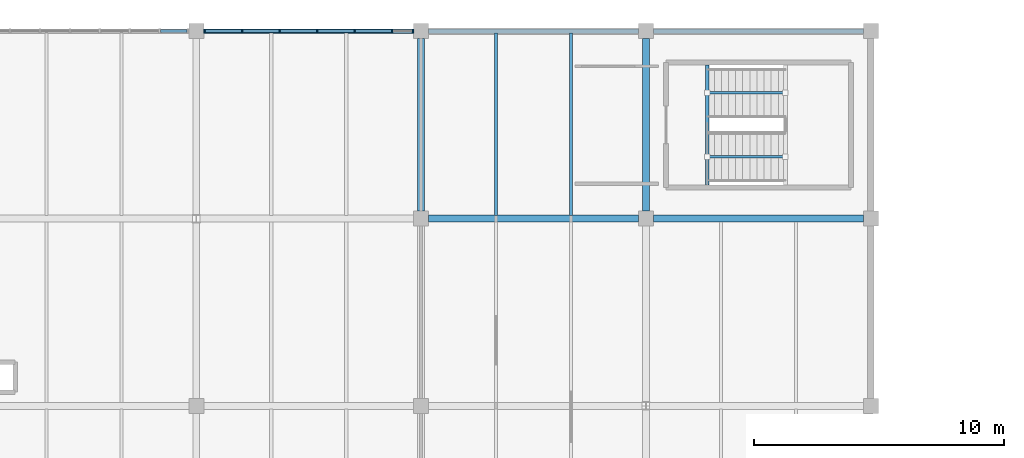
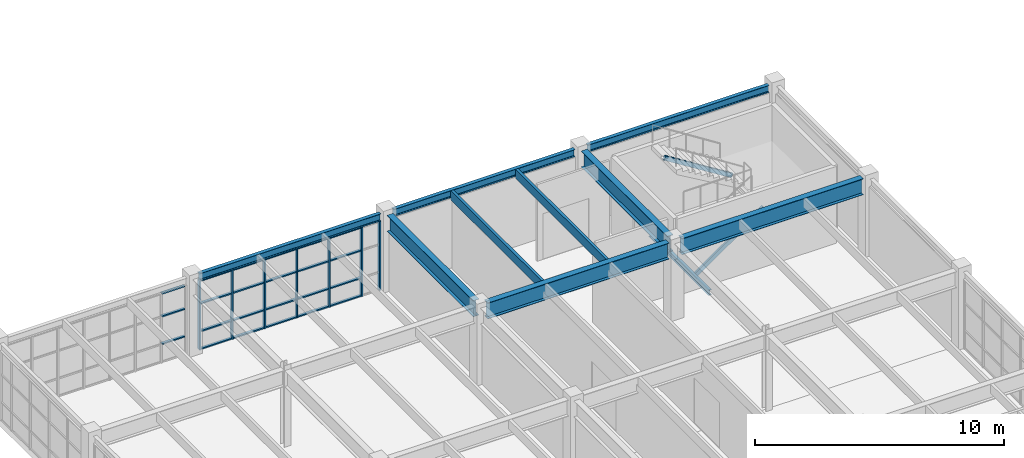
# One storey, part 35 of 76: 32 members, 10 beams, 2 elements without a shape of their own.
"""IFC4 building model written with IfcOpenShell, lengths in metres."""

from ifc_helpers import new_model, si_unit, direction, frame, origin, origin_2d, place, context, subcontext, project, spatial, rectangle, hollow_rectangle, i_section, extrude, material, layer, layer_set, material_profile, profile_set, type_object, element, aggregate, save


model = new_model("IFC4")

# Units and contexts
model_context = context("Model", 3, precision=1e-05, world=origin(), true_north=direction((0.0, 1.0)))
body_context = subcontext(model_context, "Body", "Model", "MODEL_VIEW")
ifc_project = project(units=[si_unit("LENGTHUNIT", "METRE"), si_unit("AREAUNIT", "SQUARE_METRE"), si_unit("VOLUMEUNIT", "CUBIC_METRE"), si_unit("PLANEANGLEUNIT", "RADIAN"), si_unit("MASSUNIT", "GRAM", prefix="KILO")], contexts=[model_context])

# Site, building, storey
site_placement = place(None, origin())
site = spatial("IfcSite", under=ifc_project, at=site_placement, CompositionType="ELEMENT")
building_placement = place(site_placement, origin())
building = spatial("IfcBuilding", under=site, at=building_placement, Name="Marnridge Secondary College", CompositionType="ELEMENT")
storey_placement = place(building_placement, frame((0.0, 0.0, 4.5)))
storey = spatial("IfcBuildingStorey", under=building, at=storey_placement, Name="L01", CompositionType="ELEMENT", Elevation=4.5)

# Beams
ifc_material_1 = material(Name="Engineered timber LVL E13.2", Category="wood")
ifc_material_profile_1 = material_profile(ifc_material_1, rectangle(XDim=0.1259765625, YDim=0.449951171875, at=origin_2d()), Name="LVL 126x450")
ifc_profile_set_1 = profile_set([ifc_material_profile_1], Name="Engineered timber LVL E13.2")
beam_type_1 = type_object("IfcBeamType", Name="BM-LVL450-INT", PredefinedType="JOIST", material=ifc_profile_set_1)
for number, where, z_axis, x_axis, name in (
    (1, (21.0, 112.631591796875, 3.534912109375), (0.0, 1.0, 0.0), (-1.0, 0.0, 0.0), "Beam BJ-L01-0641"),
    (2, (24.0, 112.631591796875, 3.534912109375), (0.0, 1.0, 0.0), (-1.0, 0.0, 0.0), "Beam BJ-L01-0642"),
):
    element("IfcBeam", number, at=place(storey_placement, frame(where, z_axis=z_axis, x_axis=x_axis)), inside=storey, type_object=beam_type_1, Name=name, PredefinedType="JOIST", context=body_context, shape_type="SweptSolid", body=[
        extrude(rectangle(XDim=0.1259765625, YDim=0.449951171875, at=origin_2d()), origin(), (0.0, 0.0, 1.0), 7.288818359375),
    ])
ifc_material_2 = material(Name="Structural steel Grade 350 (AS/NZS 3679.1/.2, fy = 340-360 MPa)", Category="steel")
ifc_material_profile_2 = material_profile(ifc_material_2, i_section(OverallWidth=0.146240234375, OverallDepth=0.256103515625, WebThickness=0.00634765625, FlangeThickness=0.010986328125, FilletRadius=0.0087890625, at=origin_2d()), Name="250UB37.3")
ifc_profile_set_2 = profile_set([ifc_material_profile_2], Name="Structural steel Grade 350 (AS/NZS 3679.1/.2, fy = 340-360 MPa)")
beam_type_2 = type_object("IfcBeamType", Name="BM-UB250-EXT", PredefinedType="LINTEL", material=ifc_profile_set_2)
beam_1_placement = place(storey_placement, frame((29.449951171875, 113.842041015625, -0.528076171875), z_axis=(0.0, 1.0, 0.0), x_axis=(-1.0, 0.0, 0.0)))
element("IfcBeam", 3, at=beam_1_placement, inside=storey, type_object=beam_type_2, Name="Stair landing trimmer beam BT-L01-044", PredefinedType="LINTEL", context=body_context, shape_type="SweptSolid", body=[
    extrude(i_section(OverallWidth=0.146240234375, OverallDepth=0.256103515625, WebThickness=0.00634765625, FlangeThickness=0.010986328125, FilletRadius=0.0087890625, at=origin_2d()), origin(), (0.0, 0.0, 1.0), 4.802978515625),
])
ifc_material_3 = material(Name="Structural steel Grade 350 (AS/NZS 3679.1/.2, fy = 340-360 MPa)", Category="steel")
ifc_material_profile_3 = material_profile(ifc_material_3, i_section(OverallWidth=0.1708984375, OverallDepth=0.35205078125, WebThickness=0.0068359375, FlangeThickness=0.009765625, FilletRadius=0.011474609375, at=origin_2d()), Name="360UB44.7")
ifc_profile_set_3 = profile_set([ifc_material_profile_3], Name="Structural steel Grade 350 (AS/NZS 3679.1/.2, fy = 340-360 MPa)")
beam_type_3 = type_object("IfcBeamType", Name="BM-UB360-EXT", PredefinedType="SPANDREL", material=ifc_profile_set_3)
for number, where, z_axis, x_axis, name in (
    (4, (9.2939453125, 120.0, 3.583984375), (1.0, 0.0, 0.0), (0.0, 1.0, 0.0), "Beam BS-L01-0587"),
    (5, (18.2939453125, 120.0, 3.583984375), (1.0, 0.0, 0.0), (0.0, 1.0, 0.0), "Beam BS-L01-0598"),
    (6, (27.2939453125, 120.0, 3.583984375), (1.0, 0.0, 0.0), (0.0, 1.0, 0.0), "Beam BS-L01-0609"),
):
    element("IfcBeam", number, at=place(storey_placement, frame(where, z_axis=z_axis, x_axis=x_axis)), inside=storey, type_object=beam_type_3, Name=name, PredefinedType="SPANDREL", context=body_context, shape_type="SweptSolid", body=[
        extrude(i_section(OverallWidth=0.1708984375, OverallDepth=0.35205078125, WebThickness=0.0068359375, FlangeThickness=0.009765625, FilletRadius=0.011474609375, at=origin_2d()), origin(), (0.0, 0.0, 1.0), 8.412109375),
    ])
ifc_material_4 = material(Name="Structural steel Grade 350 (AS/NZS 3679.1/.2, fy = 340-360 MPa)", Category="steel")
ifc_material_profile_4 = material_profile(ifc_material_4, i_section(OverallWidth=0.27490234375, OverallDepth=0.7919921875, WebThickness=0.010009765625, FlangeThickness=0.02001953125, at=origin_2d()), Name="800WB146")
ifc_profile_set_4 = profile_set([ifc_material_profile_4], Name="Structural steel Grade 350 (AS/NZS 3679.1/.2, fy = 340-360 MPa)")
beam_type_4 = type_object("IfcBeamType", Name="BM-WB800-INT", PredefinedType="BEAM", material=ifc_profile_set_4)
beam_2_placement = place(storey_placement, frame((18.0, 112.7939453125, 3.364013671875), z_axis=(0.0, 1.0, 0.0), x_axis=(-1.0, 0.0, 0.0)))
element("IfcBeam", 7, at=beam_2_placement, inside=storey, type_object=beam_type_4, Name="Beam B-L01-0588", PredefinedType="BEAM", context=body_context, shape_type="SweptSolid", body=[
    extrude(i_section(OverallWidth=0.27490234375, OverallDepth=0.7919921875, WebThickness=0.010009765625, FlangeThickness=0.02001953125, at=origin_2d()), origin(), (0.0, 0.0, 1.0), 6.912109375),
])
beam_3_placement = place(storey_placement, frame((18.2939453125, 112.5, 3.364013671875), z_axis=(1.0, 0.0, 0.0), x_axis=(0.0, 1.0, 0.0)))
element("IfcBeam", 8, at=beam_3_placement, inside=storey, type_object=beam_type_4, Name="Beam B-L01-0596", PredefinedType="BEAM", context=body_context, shape_type="SweptSolid", body=[
    extrude(i_section(OverallWidth=0.27490234375, OverallDepth=0.7919921875, WebThickness=0.010009765625, FlangeThickness=0.02001953125, at=origin_2d()), origin(), (0.0, 0.0, 1.0), 8.412109375),
])
beam_4_placement = place(storey_placement, frame((27.0, 112.7939453125, 3.364013671875), z_axis=(0.0, 1.0, 0.0), x_axis=(-1.0, 0.0, 0.0)))
element("IfcBeam", 9, at=beam_4_placement, inside=storey, type_object=beam_type_4, Name="Beam B-L01-0599", PredefinedType="BEAM", context=body_context, shape_type="SweptSolid", body=[
    extrude(i_section(OverallWidth=0.27490234375, OverallDepth=0.7919921875, WebThickness=0.010009765625, FlangeThickness=0.02001953125, at=origin_2d()), origin(), (0.0, 0.0, 1.0), 6.912109375),
])
beam_5_placement = place(storey_placement, frame((27.2939453125, 112.5, 3.364013671875), z_axis=(1.0, 0.0, 0.0), x_axis=(0.0, 1.0, 0.0)))
element("IfcBeam", 10, at=beam_5_placement, inside=storey, type_object=beam_type_4, Name="Beam B-L01-0607", PredefinedType="BEAM", context=body_context, shape_type="SweptSolid", body=[
    extrude(i_section(OverallWidth=0.27490234375, OverallDepth=0.7919921875, WebThickness=0.010009765625, FlangeThickness=0.02001953125, at=origin_2d()), origin(), (0.0, 0.0, 1.0), 8.412109375),
])

# Curtain wall, members
ifc_material_5 = material(Name="Thermally broken aluminium and low-E glazing", Category="aluminium")
ifc_layer_1 = layer(ifc_material_5, 0.159912109375)
ifc_layer_set_1 = layer_set([ifc_layer_1], Name="CW-MOD-1500")
curtain_wall_type_1 = type_object("IfcCurtainWallType", Name="CW-MOD-1500", PredefinedType="NOTDEFINED", material=ifc_layer_set_1)
curtain_wall_1_placement = place(storey_placement, origin())
curtain_wall_1 = element("IfcCurtainWall", 11, at=curtain_wall_1_placement, inside=storey, type_object=curtain_wall_type_1, Name="Unitised curtain wall CW-L01-047", PredefinedType="NOTDEFINED")
ifc_material_6 = material(Name="Anodised aluminium 6063-T6", Category="aluminium")
ifc_material_profile_5 = material_profile(ifc_material_6, rectangle(XDim=0.06005859375, YDim=0.159912109375, at=origin_2d()), Name="ALU 60x160")
ifc_profile_set_5 = profile_set([ifc_material_profile_5], Name="Anodised aluminium 6063-T6")
member_type_1 = type_object("IfcMemberType", Name="CWM-ALU160", PredefinedType="MULLION", material=ifc_profile_set_5)
member_1_placement = place(storey_placement, frame((9.333984375, 120.0, 0.0), z_axis=(0.0, 0.0, 1.0), x_axis=(1.0, 0.0, 0.0)))
member_1 = element("IfcMember", 12, at=member_1_placement, type_object=member_type_1, Name="CW-L01-047 mullion 1", PredefinedType="MULLION", context=body_context, shape_type="SweptSolid", body=[
    extrude(rectangle(XDim=0.06005859375, YDim=0.159912109375, at=origin_2d()), origin(), (0.0, 0.0, 1.0), 3.39990234375),
])
member_2_placement = place(storey_placement, frame((10.833984375, 120.0, 0.0), z_axis=(0.0, 0.0, 1.0), x_axis=(1.0, 0.0, 0.0)))
member_2 = element("IfcMember", 13, at=member_2_placement, type_object=member_type_1, Name="CW-L01-047 mullion 2", PredefinedType="MULLION", context=body_context, shape_type="SweptSolid", body=[
    extrude(rectangle(XDim=0.06005859375, YDim=0.159912109375, at=origin_2d()), origin(), (0.0, 0.0, 1.0), 3.39990234375),
])
member_3_placement = place(storey_placement, frame((12.333984375, 120.0, 0.0), z_axis=(0.0, 0.0, 1.0), x_axis=(1.0, 0.0, 0.0)))
member_3 = element("IfcMember", 14, at=member_3_placement, type_object=member_type_1, Name="CW-L01-047 mullion 3", PredefinedType="MULLION", context=body_context, shape_type="SweptSolid", body=[
    extrude(rectangle(XDim=0.06005859375, YDim=0.159912109375, at=origin_2d()), origin(), (0.0, 0.0, 1.0), 3.39990234375),
])
member_4_placement = place(storey_placement, frame((13.833984375, 120.0, 0.0), z_axis=(0.0, 0.0, 1.0), x_axis=(1.0, 0.0, 0.0)))
member_4 = element("IfcMember", 15, at=member_4_placement, type_object=member_type_1, Name="CW-L01-047 mullion 4", PredefinedType="MULLION", context=body_context, shape_type="SweptSolid", body=[
    extrude(rectangle(XDim=0.06005859375, YDim=0.159912109375, at=origin_2d()), origin(), (0.0, 0.0, 1.0), 3.39990234375),
])
member_5_placement = place(storey_placement, frame((15.333984375, 120.0, 0.0), z_axis=(0.0, 0.0, 1.0), x_axis=(1.0, 0.0, 0.0)))
member_5 = element("IfcMember", 16, at=member_5_placement, type_object=member_type_1, Name="CW-L01-047 mullion 5", PredefinedType="MULLION", context=body_context, shape_type="SweptSolid", body=[
    extrude(rectangle(XDim=0.06005859375, YDim=0.159912109375, at=origin_2d()), origin(), (0.0, 0.0, 1.0), 3.39990234375),
])
member_6_placement = place(storey_placement, frame((16.833984375, 120.0, 0.0), z_axis=(0.0, 0.0, 1.0), x_axis=(1.0, 0.0, 0.0)))
member_6 = element("IfcMember", 17, at=member_6_placement, type_object=member_type_1, Name="CW-L01-047 mullion 6", PredefinedType="MULLION", context=body_context, shape_type="SweptSolid", body=[
    extrude(rectangle(XDim=0.06005859375, YDim=0.159912109375, at=origin_2d()), origin(), (0.0, 0.0, 1.0), 3.39990234375),
])
member_7_placement = place(storey_placement, frame((17.666015625, 120.0, 0.0), z_axis=(0.0, 0.0, 1.0), x_axis=(1.0, 0.0, 0.0)))
member_7 = element("IfcMember", 18, at=member_7_placement, type_object=member_type_1, Name="CW-L01-047 mullion 7", PredefinedType="MULLION", context=body_context, shape_type="SweptSolid", body=[
    extrude(rectangle(XDim=0.06005859375, YDim=0.159912109375, at=origin_2d()), origin(), (0.0, 0.0, 1.0), 3.39990234375),
])

ifc_material_7 = material(Name="Thermally broken aluminium and low-E glazing", Category="aluminium")
ifc_layer_2 = layer(ifc_material_7, 0.179931640625)
ifc_layer_set_2 = layer_set([ifc_layer_2], Name="CW-MOD-1200")
curtain_wall_type_2 = type_object("IfcCurtainWallType", Name="CW-MOD-1200", PredefinedType="NOTDEFINED", material=ifc_layer_set_2)
curtain_wall_2_placement = place(storey_placement, origin())
curtain_wall_2 = element("IfcCurtainWall", 19, at=curtain_wall_2_placement, inside=storey, type_object=curtain_wall_type_2, Name="Unitised curtain wall CW-L01-046", PredefinedType="NOTDEFINED")
ifc_material_8 = material(Name="Anodised aluminium 6063-T6", Category="aluminium")
ifc_material_profile_6 = material_profile(ifc_material_8, rectangle(XDim=0.06005859375, YDim=0.1201171875, at=origin_2d()), Name="ALU 60x120")
ifc_profile_set_6 = profile_set([ifc_material_profile_6], Name="Anodised aluminium 6063-T6")
member_type_2 = type_object("IfcMemberType", Name="CWT-ALU120", PredefinedType="USERDEFINED", material=ifc_profile_set_6)
member_8_placement = place(storey_placement, frame((7.569091796875, 120.0, 0.89990234375), z_axis=(1.0, 0.0, 0.0), x_axis=(0.0, 0.0, 1.0)))
member_8 = element("IfcMember", 20, at=member_8_placement, type_object=member_type_2, Name="CW-L01-046 transom 7.2", ObjectType="TRANSOM", PredefinedType="USERDEFINED", context=body_context, shape_type="SweptSolid", body=[
    extrude(rectangle(XDim=0.06005859375, YDim=0.1201171875, at=origin_2d()), origin(), (0.0, 0.0, 1.0), 1.06201171875),
])
member_9_placement = place(storey_placement, frame((7.569091796875, 120.0, 2.25), z_axis=(1.0, 0.0, 0.0), x_axis=(0.0, 0.0, 1.0)))
member_9 = element("IfcMember", 21, at=member_9_placement, type_object=member_type_2, Name="CW-L01-046 transom 7.3", ObjectType="TRANSOM", PredefinedType="USERDEFINED", context=body_context, shape_type="SweptSolid", body=[
    extrude(rectangle(XDim=0.06005859375, YDim=0.1201171875, at=origin_2d()), origin(), (0.0, 0.0, 1.0), 1.06201171875),
])
member_10_placement = place(storey_placement, frame((7.569091796875, 120.0, 3.3701171875), z_axis=(1.0, 0.0, 0.0), x_axis=(0.0, 0.0, 1.0)))
member_10 = element("IfcMember", 22, at=member_10_placement, type_object=member_type_2, Name="CW-L01-046 transom 7.4", ObjectType="TRANSOM", PredefinedType="USERDEFINED", context=body_context, shape_type="SweptSolid", body=[
    extrude(rectangle(XDim=0.06005859375, YDim=0.1201171875, at=origin_2d()), origin(), (0.0, 0.0, 1.0), 1.06201171875),
])
aggregate(curtain_wall_2, [member_8, member_9, member_10])

# Member
member_11_placement = place(storey_placement, frame((9.364013671875, 120.0, 0.030029296875), z_axis=(1.0, 0.0, 0.0), x_axis=(0.0, 0.0, 1.0)))
member_11 = element("IfcMember", 23, at=member_11_placement, type_object=member_type_2, Name="CW-L01-047 transom 1.1", ObjectType="TRANSOM", PredefinedType="USERDEFINED", context=body_context, shape_type="SweptSolid", body=[
    extrude(rectangle(XDim=0.06005859375, YDim=0.1201171875, at=origin_2d()), origin(), (0.0, 0.0, 1.0), 1.43994140625),
])

member_12_placement = place(storey_placement, frame((9.364013671875, 120.0, 0.89990234375), z_axis=(1.0, 0.0, 0.0), x_axis=(0.0, 0.0, 1.0)))
member_12 = element("IfcMember", 24, at=member_12_placement, type_object=member_type_2, Name="CW-L01-047 transom 1.2", ObjectType="TRANSOM", PredefinedType="USERDEFINED", context=body_context, shape_type="SweptSolid", body=[
    extrude(rectangle(XDim=0.06005859375, YDim=0.1201171875, at=origin_2d()), origin(), (0.0, 0.0, 1.0), 1.43994140625),
])

member_13_placement = place(storey_placement, frame((9.364013671875, 120.0, 2.25), z_axis=(1.0, 0.0, 0.0), x_axis=(0.0, 0.0, 1.0)))
member_13 = element("IfcMember", 25, at=member_13_placement, type_object=member_type_2, Name="CW-L01-047 transom 1.3", ObjectType="TRANSOM", PredefinedType="USERDEFINED", context=body_context, shape_type="SweptSolid", body=[
    extrude(rectangle(XDim=0.06005859375, YDim=0.1201171875, at=origin_2d()), origin(), (0.0, 0.0, 1.0), 1.43994140625),
])

member_14_placement = place(storey_placement, frame((9.364013671875, 120.0, 3.3701171875), z_axis=(1.0, 0.0, 0.0), x_axis=(0.0, 0.0, 1.0)))
member_14 = element("IfcMember", 26, at=member_14_placement, type_object=member_type_2, Name="CW-L01-047 transom 1.4", ObjectType="TRANSOM", PredefinedType="USERDEFINED", context=body_context, shape_type="SweptSolid", body=[
    extrude(rectangle(XDim=0.06005859375, YDim=0.1201171875, at=origin_2d()), origin(), (0.0, 0.0, 1.0), 1.43994140625),
])

member_15_placement = place(storey_placement, frame((10.864013671875, 120.0, 0.030029296875), z_axis=(1.0, 0.0, 0.0), x_axis=(0.0, 0.0, 1.0)))
member_15 = element("IfcMember", 27, at=member_15_placement, type_object=member_type_2, Name="CW-L01-047 transom 2.1", ObjectType="TRANSOM", PredefinedType="USERDEFINED", context=body_context, shape_type="SweptSolid", body=[
    extrude(rectangle(XDim=0.06005859375, YDim=0.1201171875, at=origin_2d()), origin(), (0.0, 0.0, 1.0), 1.43994140625),
])

member_16_placement = place(storey_placement, frame((10.864013671875, 120.0, 0.89990234375), z_axis=(1.0, 0.0, 0.0), x_axis=(0.0, 0.0, 1.0)))
member_16 = element("IfcMember", 28, at=member_16_placement, type_object=member_type_2, Name="CW-L01-047 transom 2.2", ObjectType="TRANSOM", PredefinedType="USERDEFINED", context=body_context, shape_type="SweptSolid", body=[
    extrude(rectangle(XDim=0.06005859375, YDim=0.1201171875, at=origin_2d()), origin(), (0.0, 0.0, 1.0), 1.43994140625),
])

member_17_placement = place(storey_placement, frame((10.864013671875, 120.0, 2.25), z_axis=(1.0, 0.0, 0.0), x_axis=(0.0, 0.0, 1.0)))
member_17 = element("IfcMember", 29, at=member_17_placement, type_object=member_type_2, Name="CW-L01-047 transom 2.3", ObjectType="TRANSOM", PredefinedType="USERDEFINED", context=body_context, shape_type="SweptSolid", body=[
    extrude(rectangle(XDim=0.06005859375, YDim=0.1201171875, at=origin_2d()), origin(), (0.0, 0.0, 1.0), 1.43994140625),
])

member_18_placement = place(storey_placement, frame((10.864013671875, 120.0, 3.3701171875), z_axis=(1.0, 0.0, 0.0), x_axis=(0.0, 0.0, 1.0)))
member_18 = element("IfcMember", 30, at=member_18_placement, type_object=member_type_2, Name="CW-L01-047 transom 2.4", ObjectType="TRANSOM", PredefinedType="USERDEFINED", context=body_context, shape_type="SweptSolid", body=[
    extrude(rectangle(XDim=0.06005859375, YDim=0.1201171875, at=origin_2d()), origin(), (0.0, 0.0, 1.0), 1.43994140625),
])

member_19_placement = place(storey_placement, frame((12.364013671875, 120.0, 0.030029296875), z_axis=(1.0, 0.0, 0.0), x_axis=(0.0, 0.0, 1.0)))
member_19 = element("IfcMember", 31, at=member_19_placement, type_object=member_type_2, Name="CW-L01-047 transom 3.1", ObjectType="TRANSOM", PredefinedType="USERDEFINED", context=body_context, shape_type="SweptSolid", body=[
    extrude(rectangle(XDim=0.06005859375, YDim=0.1201171875, at=origin_2d()), origin(), (0.0, 0.0, 1.0), 1.43994140625),
])

member_20_placement = place(storey_placement, frame((12.364013671875, 120.0, 0.89990234375), z_axis=(1.0, 0.0, 0.0), x_axis=(0.0, 0.0, 1.0)))
member_20 = element("IfcMember", 32, at=member_20_placement, type_object=member_type_2, Name="CW-L01-047 transom 3.2", ObjectType="TRANSOM", PredefinedType="USERDEFINED", context=body_context, shape_type="SweptSolid", body=[
    extrude(rectangle(XDim=0.06005859375, YDim=0.1201171875, at=origin_2d()), origin(), (0.0, 0.0, 1.0), 1.43994140625),
])

member_21_placement = place(storey_placement, frame((12.364013671875, 120.0, 2.25), z_axis=(1.0, 0.0, 0.0), x_axis=(0.0, 0.0, 1.0)))
member_21 = element("IfcMember", 33, at=member_21_placement, type_object=member_type_2, Name="CW-L01-047 transom 3.3", ObjectType="TRANSOM", PredefinedType="USERDEFINED", context=body_context, shape_type="SweptSolid", body=[
    extrude(rectangle(XDim=0.06005859375, YDim=0.1201171875, at=origin_2d()), origin(), (0.0, 0.0, 1.0), 1.43994140625),
])

member_22_placement = place(storey_placement, frame((12.364013671875, 120.0, 3.3701171875), z_axis=(1.0, 0.0, 0.0), x_axis=(0.0, 0.0, 1.0)))
member_22 = element("IfcMember", 34, at=member_22_placement, type_object=member_type_2, Name="CW-L01-047 transom 3.4", ObjectType="TRANSOM", PredefinedType="USERDEFINED", context=body_context, shape_type="SweptSolid", body=[
    extrude(rectangle(XDim=0.06005859375, YDim=0.1201171875, at=origin_2d()), origin(), (0.0, 0.0, 1.0), 1.43994140625),
])

member_23_placement = place(storey_placement, frame((13.864013671875, 120.0, 0.030029296875), z_axis=(1.0, 0.0, 0.0), x_axis=(0.0, 0.0, 1.0)))
member_23 = element("IfcMember", 35, at=member_23_placement, type_object=member_type_2, Name="CW-L01-047 transom 4.1", ObjectType="TRANSOM", PredefinedType="USERDEFINED", context=body_context, shape_type="SweptSolid", body=[
    extrude(rectangle(XDim=0.06005859375, YDim=0.1201171875, at=origin_2d()), origin(), (0.0, 0.0, 1.0), 1.43994140625),
])

member_24_placement = place(storey_placement, frame((13.864013671875, 120.0, 0.89990234375), z_axis=(1.0, 0.0, 0.0), x_axis=(0.0, 0.0, 1.0)))
member_24 = element("IfcMember", 36, at=member_24_placement, type_object=member_type_2, Name="CW-L01-047 transom 4.2", ObjectType="TRANSOM", PredefinedType="USERDEFINED", context=body_context, shape_type="SweptSolid", body=[
    extrude(rectangle(XDim=0.06005859375, YDim=0.1201171875, at=origin_2d()), origin(), (0.0, 0.0, 1.0), 1.43994140625),
])

member_25_placement = place(storey_placement, frame((13.864013671875, 120.0, 2.25), z_axis=(1.0, 0.0, 0.0), x_axis=(0.0, 0.0, 1.0)))
member_25 = element("IfcMember", 37, at=member_25_placement, type_object=member_type_2, Name="CW-L01-047 transom 4.3", ObjectType="TRANSOM", PredefinedType="USERDEFINED", context=body_context, shape_type="SweptSolid", body=[
    extrude(rectangle(XDim=0.06005859375, YDim=0.1201171875, at=origin_2d()), origin(), (0.0, 0.0, 1.0), 1.43994140625),
])

member_26_placement = place(storey_placement, frame((13.864013671875, 120.0, 3.3701171875), z_axis=(1.0, 0.0, 0.0), x_axis=(0.0, 0.0, 1.0)))
member_26 = element("IfcMember", 38, at=member_26_placement, type_object=member_type_2, Name="CW-L01-047 transom 4.4", ObjectType="TRANSOM", PredefinedType="USERDEFINED", context=body_context, shape_type="SweptSolid", body=[
    extrude(rectangle(XDim=0.06005859375, YDim=0.1201171875, at=origin_2d()), origin(), (0.0, 0.0, 1.0), 1.43994140625),
])

member_27_placement = place(storey_placement, frame((15.364013671875, 120.0, 0.030029296875), z_axis=(1.0, 0.0, 0.0), x_axis=(0.0, 0.0, 1.0)))
member_27 = element("IfcMember", 39, at=member_27_placement, type_object=member_type_2, Name="CW-L01-047 transom 5.1", ObjectType="TRANSOM", PredefinedType="USERDEFINED", context=body_context, shape_type="SweptSolid", body=[
    extrude(rectangle(XDim=0.06005859375, YDim=0.1201171875, at=origin_2d()), origin(), (0.0, 0.0, 1.0), 1.43994140625),
])

member_28_placement = place(storey_placement, frame((15.364013671875, 120.0, 0.89990234375), z_axis=(1.0, 0.0, 0.0), x_axis=(0.0, 0.0, 1.0)))
member_28 = element("IfcMember", 40, at=member_28_placement, type_object=member_type_2, Name="CW-L01-047 transom 5.2", ObjectType="TRANSOM", PredefinedType="USERDEFINED", context=body_context, shape_type="SweptSolid", body=[
    extrude(rectangle(XDim=0.06005859375, YDim=0.1201171875, at=origin_2d()), origin(), (0.0, 0.0, 1.0), 1.43994140625),
])

member_29_placement = place(storey_placement, frame((15.364013671875, 120.0, 2.25), z_axis=(1.0, 0.0, 0.0), x_axis=(0.0, 0.0, 1.0)))
member_29 = element("IfcMember", 41, at=member_29_placement, type_object=member_type_2, Name="CW-L01-047 transom 5.3", ObjectType="TRANSOM", PredefinedType="USERDEFINED", context=body_context, shape_type="SweptSolid", body=[
    extrude(rectangle(XDim=0.06005859375, YDim=0.1201171875, at=origin_2d()), origin(), (0.0, 0.0, 1.0), 1.43994140625),
])

member_30_placement = place(storey_placement, frame((15.364013671875, 120.0, 3.3701171875), z_axis=(1.0, 0.0, 0.0), x_axis=(0.0, 0.0, 1.0)))
member_30 = element("IfcMember", 42, at=member_30_placement, type_object=member_type_2, Name="CW-L01-047 transom 5.4", ObjectType="TRANSOM", PredefinedType="USERDEFINED", context=body_context, shape_type="SweptSolid", body=[
    extrude(rectangle(XDim=0.06005859375, YDim=0.1201171875, at=origin_2d()), origin(), (0.0, 0.0, 1.0), 1.43994140625),
])

aggregate(curtain_wall_1, [member_1, member_2, member_3, member_4, member_5, member_6, member_7, member_11, member_12, member_13, member_14, member_15, member_16, member_17, member_18, member_19, member_20, member_21, member_22, member_23, member_24, member_25, member_26, member_27, member_28, member_29, member_30])

# Members
ifc_material_9 = material(Name="Cold-formed steel Grade C350L0 (AS/NZS 1163, fy = 350 MPa)", Category="steel")
ifc_material_profile_7 = material_profile(ifc_material_9, hollow_rectangle(XDim=0.10009765625, YDim=0.199951171875, WallThickness=0.006103515625, at=origin_2d()), Name="200x100x6.0RHS")
ifc_profile_set_7 = profile_set([ifc_material_profile_7], Name="Cold-formed steel Grade C350L0 (AS/NZS 1163, fy = 350 MPa)")
member_type_3 = type_object("IfcMemberType", Name="MB-STR-RHS200", PredefinedType="STRINGER", material=ifc_profile_set_7)
member_31_placement = place(storey_placement, frame((29.449951171875, 114.969970703125, -0.30810546875), z_axis=(0.818533555274, 0.0, 0.574458718178), x_axis=(0.0, 1.0, 0.0)))
element("IfcMember", 43, at=member_31_placement, inside=storey, type_object=member_type_3, Name="Stair stringer STR-045", PredefinedType="STRINGER", context=body_context, shape_type="SweptSolid", body=[
    extrude(hollow_rectangle(XDim=0.10009765625, YDim=0.199951171875, WallThickness=0.006103515625, at=origin_2d()), origin(), (0.0, 0.0, 1.0), 3.830078125),
])
member_32_placement = place(storey_placement, frame((32.5849609375, 117.530029296875, 1.89208984375), z_axis=(-0.847927812005, 0.0, 0.530111710519), x_axis=(0.0, -1.0, 0.0)))
element("IfcMember", 44, at=member_32_placement, inside=storey, type_object=member_type_3, Name="Stair stringer STR-046", PredefinedType="STRINGER", context=body_context, shape_type="SweptSolid", body=[
    extrude(hollow_rectangle(XDim=0.10009765625, YDim=0.199951171875, WallThickness=0.006103515625, at=origin_2d()), origin(), (0.0, 0.0, 1.0), 3.697265625),
])

save(model, "model.ifc")
